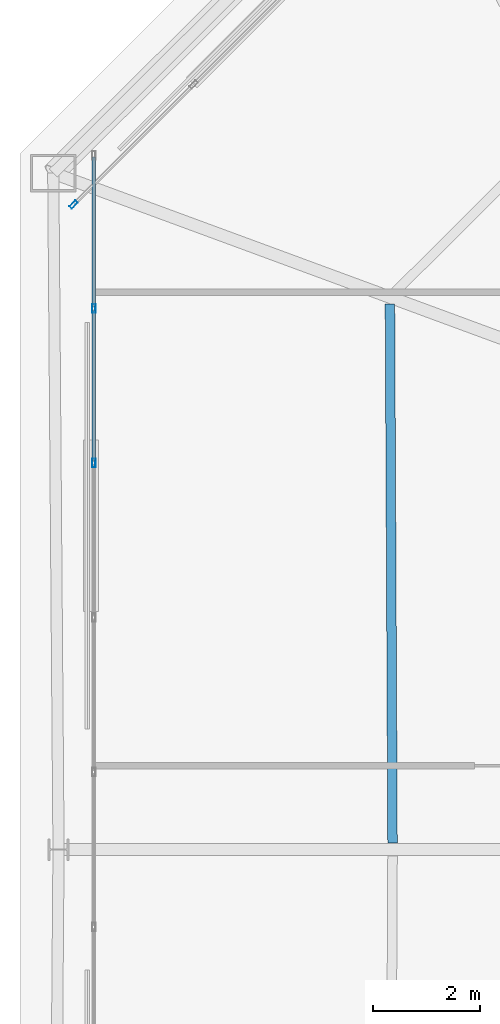
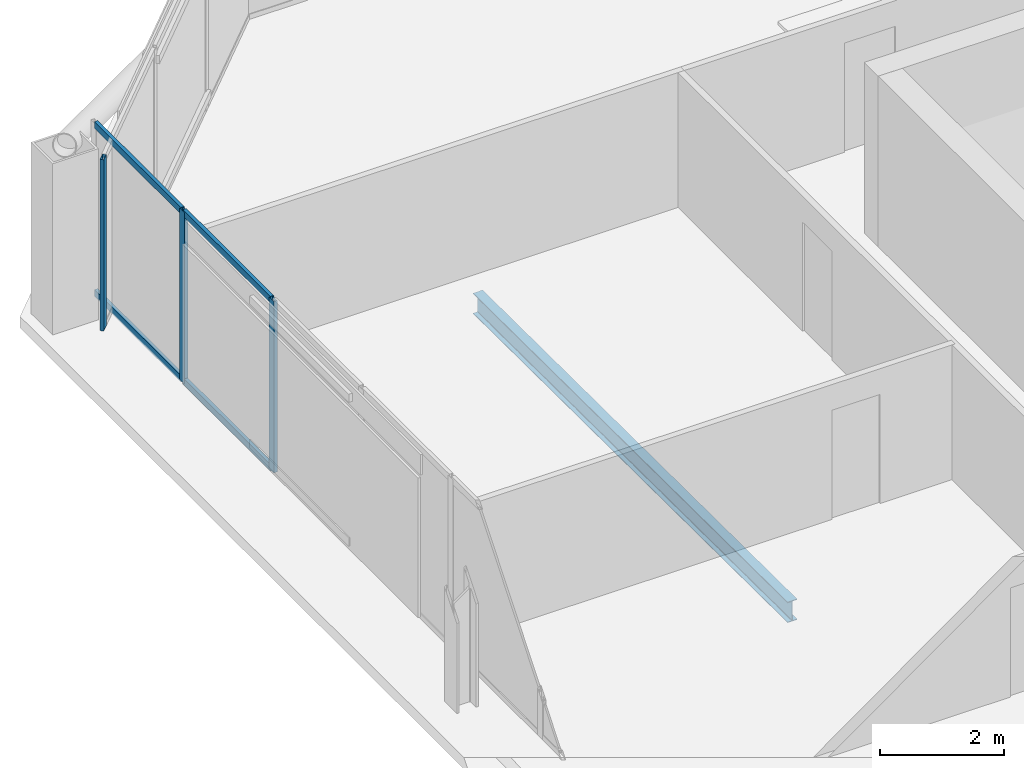
# One storey, part 16 of 39: 7 members, 1 beam, 2 elements without a shape of their own.
"""IFC4 building model written with IfcOpenShell, lengths in metres."""

from ifc_helpers import new_model, si_unit, direction, frame, origin, origin_2d, place, context, subcontext, project, spatial, hollow_rectangle, i_section, extrude, material, layer, layer_set, material_profile, profile_set, type_object, element, aggregate, save


model = new_model("IFC4")

# Units and contexts
model_context = context("Model", 3, precision=1e-05, world=origin(), true_north=direction((0.0, 1.0)))
body_context = subcontext(model_context, "Body", "Model", "MODEL_VIEW")
ifc_project = project(units=[si_unit("LENGTHUNIT", "METRE"), si_unit("AREAUNIT", "SQUARE_METRE"), si_unit("VOLUMEUNIT", "CUBIC_METRE"), si_unit("PLANEANGLEUNIT", "RADIAN"), si_unit("MASSUNIT", "GRAM", prefix="KILO")], contexts=[model_context])

# Site, building, storey
site_placement = place(None, origin())
site = spatial("IfcSite", under=ifc_project, at=site_placement, CompositionType="ELEMENT")
building_placement = place(site_placement, origin())
building = spatial("IfcBuilding", under=site, at=building_placement, Name="Caelvoria Tower", CompositionType="ELEMENT")
storey_placement = place(building_placement, frame((0.0, 0.0, 198.60009765625)))
storey = spatial("IfcBuildingStorey", under=building, at=storey_placement, Name="L52", CompositionType="ELEMENT", Elevation=198.60009765625)

# Curtain wall, member
ifc_material_1 = material(Name="Anodised Bronze Aluminium and Low-E Glass", Category="aluminium")
ifc_layer = layer(ifc_material_1, 0.175048828125, Name="Anodised Bronze Aluminium and Low-E Glass")
ifc_layer_set = layer_set([ifc_layer], Name="CW System 4 High-Zone Tapered Crystal Facade - Anodised Bronze Aluminium and Low-E Glass")
curtain_wall_type = type_object("IfcCurtainWallType", Name="CW System 4 High-Zone Tapered Crystal Facade", PredefinedType="NOTDEFINED", material=ifc_layer_set)
curtain_wall_1_placement = place(storey_placement, origin())
curtain_wall_1 = element("IfcCurtainWall", 1, at=curtain_wall_1_placement, inside=storey, type_object=curtain_wall_type, Name="CW-04 Curtain Wall L52-E5", PredefinedType="NOTDEFINED")
ifc_material_2 = material(Name="Anodised Bronze Architectural Aluminium", Category="aluminium")
ifc_material_profile_1 = material_profile(ifc_material_2, hollow_rectangle(XDim=0.06494140625, YDim=0.159912109375, WallThickness=0.00390625, at=origin_2d()), Name="Anodised Bronze Architectural Aluminium")
ifc_profile_set_1 = profile_set([ifc_material_profile_1], Name="CW_MULL_65X160 - Anodised Bronze Architectural Aluminium")
member_type_1 = type_object("IfcMemberType", Name="Curtain Wall Mullion 65x160 Bronze Aluminium", PredefinedType="MULLION", material=ifc_profile_set_1)
member_1_placement = place(storey_placement, frame((24.798828125, 44.047119140625, 0.0), z_axis=(0.0, 0.0, 1.0), x_axis=(0.707106781187, -0.707106781187, 0.0)))
member_1 = element("IfcMember", 2, at=member_1_placement, type_object=member_type_1, Name="CW-04 mullion 4", PredefinedType="MULLION", context=body_context, shape_type="SweptSolid", body=[
    extrude(hollow_rectangle(XDim=0.06494140625, YDim=0.159912109375, WallThickness=0.00390625, at=origin_2d()), origin(), (0.0, 0.0, 1.0), 3.375),
])
aggregate(curtain_wall_1, [member_1])

# Curtain wall, members
curtain_wall_2_placement = place(storey_placement, origin())
curtain_wall_2 = element("IfcCurtainWall", 3, at=curtain_wall_2_placement, inside=storey, type_object=curtain_wall_type, Name="CW-04 Curtain Wall L52-E6", PredefinedType="NOTDEFINED")
member_2_placement = place(storey_placement, frame((25.179931640625, 42.111083984375, 0.0), z_axis=(0.0, 0.0, 1.0), x_axis=(1.0, 0.0, 0.0)))
member_2 = element("IfcMember", 4, at=member_2_placement, type_object=member_type_1, Name="CW-04 mullion 2", PredefinedType="MULLION", context=body_context, shape_type="SweptSolid", body=[
    extrude(hollow_rectangle(XDim=0.06494140625, YDim=0.159912109375, WallThickness=0.00390625, at=origin_2d()), origin(), (0.0, 0.0, 1.0), 3.375),
])
member_3_placement = place(storey_placement, frame((25.179931640625, 39.22216796875, 0.0), z_axis=(0.0, 0.0, 1.0), x_axis=(1.0, 0.0, 0.0)))
member_3 = element("IfcMember", 5, at=member_3_placement, type_object=member_type_1, Name="CW-04 mullion 3", PredefinedType="MULLION", context=body_context, shape_type="SweptSolid", body=[
    extrude(hollow_rectangle(XDim=0.06494140625, YDim=0.159912109375, WallThickness=0.00390625, at=origin_2d()), origin(), (0.0, 0.0, 1.0), 3.375),
])
ifc_material_profile_2 = material_profile(ifc_material_2, hollow_rectangle(XDim=0.06494140625, YDim=0.1298828125, WallThickness=0.00341796875, at=origin_2d()), Name="Anodised Bronze Architectural Aluminium")
ifc_profile_set_2 = profile_set([ifc_material_profile_2], Name="CW_TRAN_65X130 - Anodised Bronze Architectural Aluminium")
member_type_2 = type_object("IfcMemberType", Name="Curtain Wall Transom 65x130 Bronze Aluminium", PredefinedType="USERDEFINED", material=ifc_profile_set_2)
member_4_placement = place(storey_placement, frame((25.179931640625, 44.93505859375, 0.032470703125), z_axis=(0.0, -1.0, 0.0), x_axis=(1.0, 0.0, 0.0)))
member_4 = element("IfcMember", 6, at=member_4_placement, type_object=member_type_2, Name="CW-04 transom 1.1", ObjectType="TRANSOM", PredefinedType="USERDEFINED", context=body_context, shape_type="SweptSolid", body=[
    extrude(hollow_rectangle(XDim=0.06494140625, YDim=0.1298828125, WallThickness=0.00341796875, at=origin_2d()), origin(), (0.0, 0.0, 1.0), 2.79150390625),
])
member_5_placement = place(storey_placement, frame((25.179931640625, 44.93505859375, 3.34228515625), z_axis=(0.0, -1.0, 0.0), x_axis=(1.0, 0.0, 0.0)))
member_5 = element("IfcMember", 7, at=member_5_placement, type_object=member_type_2, Name="CW-04 transom 1.2", ObjectType="TRANSOM", PredefinedType="USERDEFINED", context=body_context, shape_type="SweptSolid", body=[
    extrude(hollow_rectangle(XDim=0.06494140625, YDim=0.1298828125, WallThickness=0.00341796875, at=origin_2d()), origin(), (0.0, 0.0, 1.0), 2.79150390625),
])
member_6_placement = place(storey_placement, frame((25.179931640625, 42.07861328125, 0.032470703125), z_axis=(0.0, -1.0, 0.0), x_axis=(1.0, 0.0, 0.0)))
member_6 = element("IfcMember", 8, at=member_6_placement, type_object=member_type_2, Name="CW-04 transom 2.1", ObjectType="TRANSOM", PredefinedType="USERDEFINED", context=body_context, shape_type="SweptSolid", body=[
    extrude(hollow_rectangle(XDim=0.06494140625, YDim=0.1298828125, WallThickness=0.00341796875, at=origin_2d()), origin(), (0.0, 0.0, 1.0), 2.823974609375),
])
member_7_placement = place(storey_placement, frame((25.179931640625, 42.07861328125, 3.34228515625), z_axis=(0.0, -1.0, 0.0), x_axis=(1.0, 0.0, 0.0)))
member_7 = element("IfcMember", 9, at=member_7_placement, type_object=member_type_2, Name="CW-04 transom 2.2", ObjectType="TRANSOM", PredefinedType="USERDEFINED", context=body_context, shape_type="SweptSolid", body=[
    extrude(hollow_rectangle(XDim=0.06494140625, YDim=0.1298828125, WallThickness=0.00341796875, at=origin_2d()), origin(), (0.0, 0.0, 1.0), 2.823974609375),
])
aggregate(curtain_wall_2, [member_2, member_3, member_4, member_5, member_6, member_7])

# Beam
ifc_material_3 = material(Name="Structural Steel ASTM A992 Gr.50", Category="steel")
ifc_material_profile_3 = material_profile(ifc_material_3, i_section(OverallWidth=0.177978515625, OverallDepth=0.406982421875, WebThickness=0.0078125, FlangeThickness=0.0126953125, FilletRadius=0.013916015625, at=origin_2d()), Name="Structural Steel ASTM A992 Gr.50")
ifc_profile_set_3 = profile_set([ifc_material_profile_3], Name="W410X60 - Structural Steel ASTM A992 Gr.50")
beam_type = type_object("IfcBeamType", Name="Secondary Floor Beam W410X60", PredefinedType="BEAM", material=ifc_profile_set_3)
beam_placement = place(storey_placement, frame((30.711181640625, 42.193115234375, -0.4287109375), z_axis=(0.004801225002, -0.999988474053, 0.0), x_axis=(0.999988474053, 0.004801225002, 0.0)))
element("IfcBeam", 10, at=beam_placement, inside=storey, type_object=beam_type, Name="Secondary Floor Beam L52-09", PredefinedType="BEAM", context=body_context, shape_type="SweptSolid", body=[
    extrude(i_section(OverallWidth=0.177978515625, OverallDepth=0.406982421875, WebThickness=0.0078125, FlangeThickness=0.0126953125, FilletRadius=0.013916015625, at=origin_2d()), origin(), (0.0, 0.0, 1.0), 10.068115234375),
])

save(model, "model.ifc")
